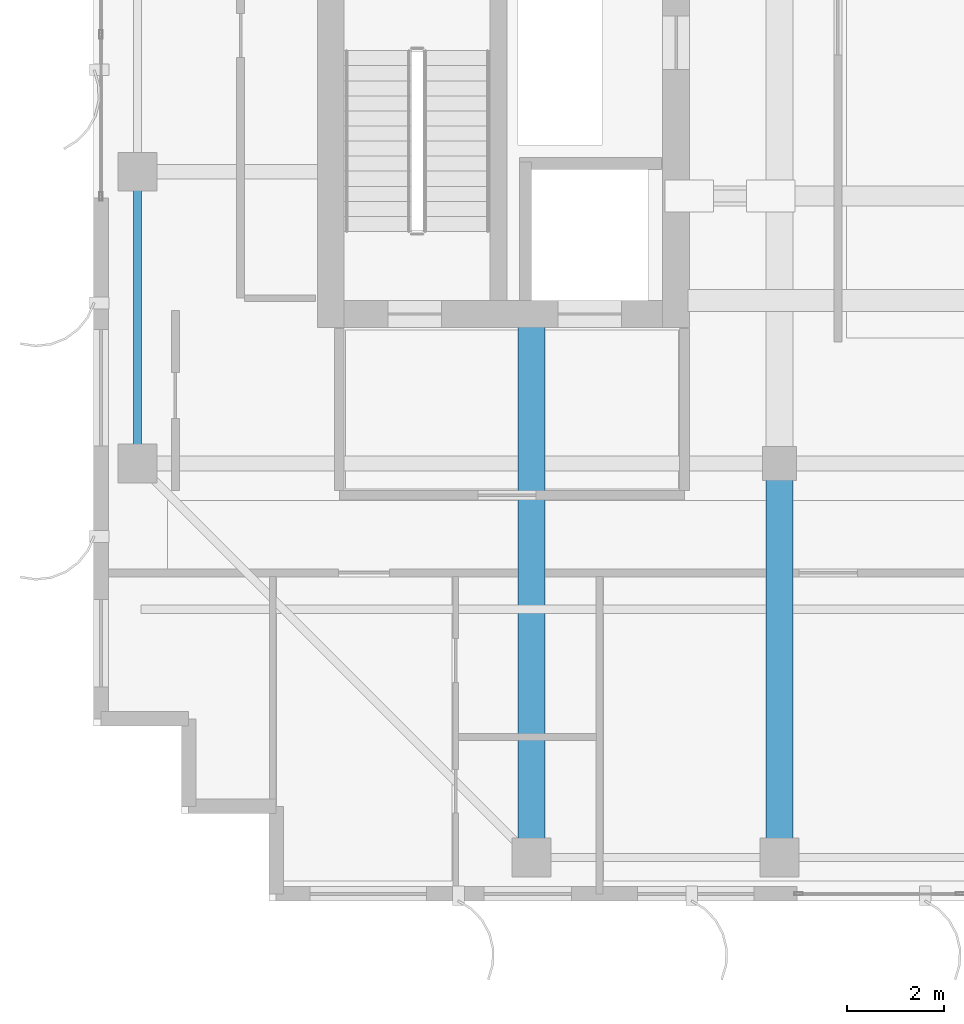
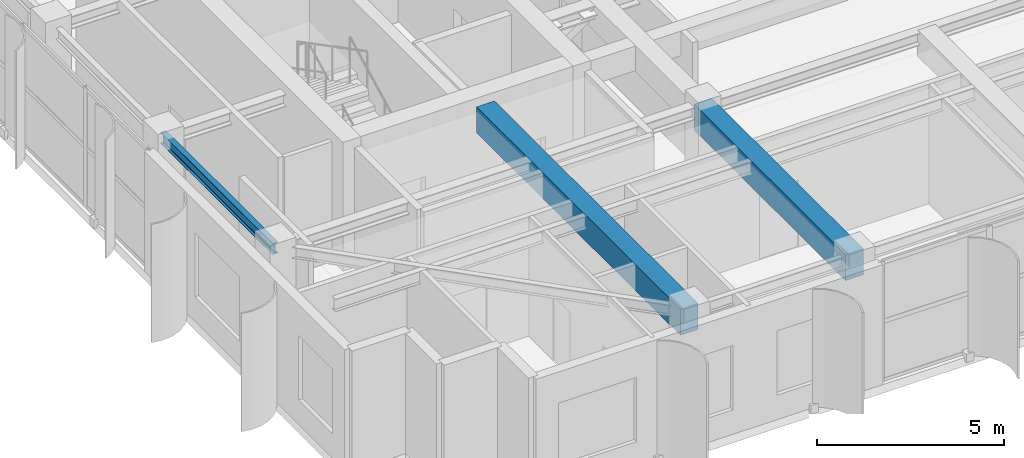
# One storey, part 3 of 26: 3 beams.
"""IFC4 building model written with IfcOpenShell, lengths in metres."""

from ifc_helpers import new_model, si_unit, direction, frame, origin, origin_2d, place, context, subcontext, project, spatial, rectangle, i_section, extrude, source, transform, mapped, material, material_profile, profile_set, type_object, element, save


model = new_model("IFC4")

# Units and contexts
model_context = context("Model", 3, precision=1e-05, world=origin(), true_north=direction((0.0, 1.0)))
body_context = subcontext(model_context, "Body", "Model", "MODEL_VIEW")
ifc_project = project(units=[si_unit("LENGTHUNIT", "METRE"), si_unit("AREAUNIT", "SQUARE_METRE"), si_unit("VOLUMEUNIT", "CUBIC_METRE"), si_unit("PLANEANGLEUNIT", "RADIAN"), si_unit("MASSUNIT", "GRAM", prefix="KILO")], contexts=[model_context])

# Site, building, storey
site_placement = place(None, origin())
site = spatial("IfcSite", under=ifc_project, at=site_placement, CompositionType="ELEMENT")
building_placement = place(site_placement, origin())
building = spatial("IfcBuilding", under=site, at=building_placement, Name="Khoralis Quay Care Tower", CompositionType="ELEMENT")
storey_placement = place(building_placement, frame((0.0, 0.0, 289.5)))
storey = spatial("IfcBuildingStorey", under=building, at=storey_placement, Name="L76", CompositionType="ELEMENT", Elevation=289.5)

# Beams
ifc_material_1 = material(Name="Steel S355", Category="steel")
ifc_material_profile_1 = material_profile(ifc_material_1, i_section(OverallWidth=0.169921875, OverallDepth=0.360107421875, WebThickness=0.008056640625, FlangeThickness=0.0126953125, FilletRadius=0.01806640625, at=origin_2d()), Name="Steel S355")
ifc_profile_set_1 = profile_set([ifc_material_profile_1], Name="Steel S355")
beam_type_1 = type_object("IfcBeamType", Name="BM-IPE360", PredefinedType="SPANDREL", material=ifc_profile_set_1)
shared_shape_1 = source(origin(), body_context, "Body", "SweptSolid", [
    extrude(i_section(OverallWidth=0.169921875, OverallDepth=0.360107421875, WebThickness=0.008056640625, FlangeThickness=0.0126953125, FilletRadius=0.01806640625, at=origin_2d()), origin(), (0.0, 0.0, 1.0), 6.0),
])
beam_1_placement = place(storey_placement, frame((3.89990234375, 12.0, 3.739990234375), z_axis=(0.0, 1.0, 0.0), x_axis=(-1.0, 0.0, 0.0)))
element("IfcBeam", 1, at=beam_1_placement, inside=storey, type_object=beam_type_1, Name="BM-TSP-L76-09", PredefinedType="SPANDREL", context=body_context, shape_type="MappedRepresentation", body=[
    mapped(shared_shape_1, transform((0.0, 0.0, 0.0), scale=1.0)),
])
ifc_material_2 = material(Name="Concrete C50/60", Category="concrete")
ifc_material_profile_2 = material_profile(ifc_material_2, rectangle(XDim=0.550048828125, YDim=0.85009765625, at=origin_2d()), Name="Concrete C50/60")
ifc_profile_set_2 = profile_set([ifc_material_profile_2], Name="Concrete C50/60")
beam_type_2 = type_object("IfcBeamType", Name="BM-RC550X850", PredefinedType="BEAM", material=ifc_profile_set_2)
shared_shape_2 = source(origin(), body_context, "Body", "SweptSolid", [
    extrude(rectangle(XDim=0.550048828125, YDim=0.85009765625, at=origin_2d()), origin(), (0.0, 0.0, 1.0), 10.902099609375),
])
beam_2_placement = place(storey_placement, frame((12.0, 3.89990234375, 3.4951171875), z_axis=(0.0, 1.0, 0.0), x_axis=(-1.0, 0.0, 0.0)))
element("IfcBeam", 2, at=beam_2_placement, inside=storey, type_object=beam_type_2, Name="BM-TGYS-L76-120", PredefinedType="BEAM", context=body_context, shape_type="MappedRepresentation", body=[
    mapped(shared_shape_2, transform((0.0, 0.0, 0.0), scale=1.0)),
])
shared_shape_3 = source(origin(), body_context, "Body", "SweptSolid", [
    extrude(rectangle(XDim=0.550048828125, YDim=0.85009765625, at=origin_2d()), origin(), (0.0, 0.0, 1.0), 8.10009765625),
])
beam_3_placement = place(storey_placement, frame((17.10009765625, 3.89990234375, 3.4951171875), z_axis=(0.0, 1.0, 0.0), x_axis=(-1.0, 0.0, 0.0)))
element("IfcBeam", 3, at=beam_3_placement, inside=storey, type_object=beam_type_2, Name="BM-TGYS-L76-171", PredefinedType="BEAM", context=body_context, shape_type="MappedRepresentation", body=[
    mapped(shared_shape_3, transform((0.0, 0.0, 0.0), scale=1.0)),
])

save(model, "model.ifc")
